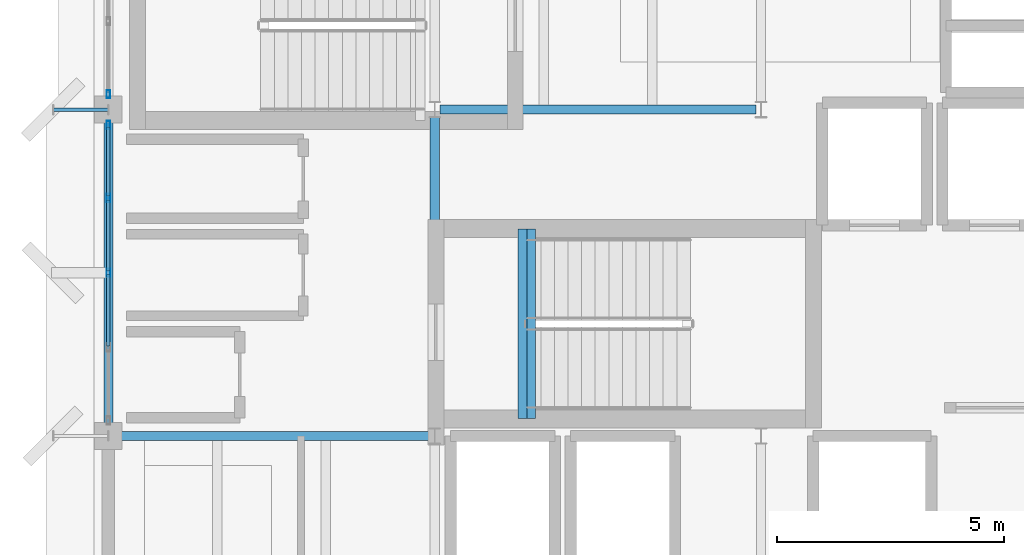
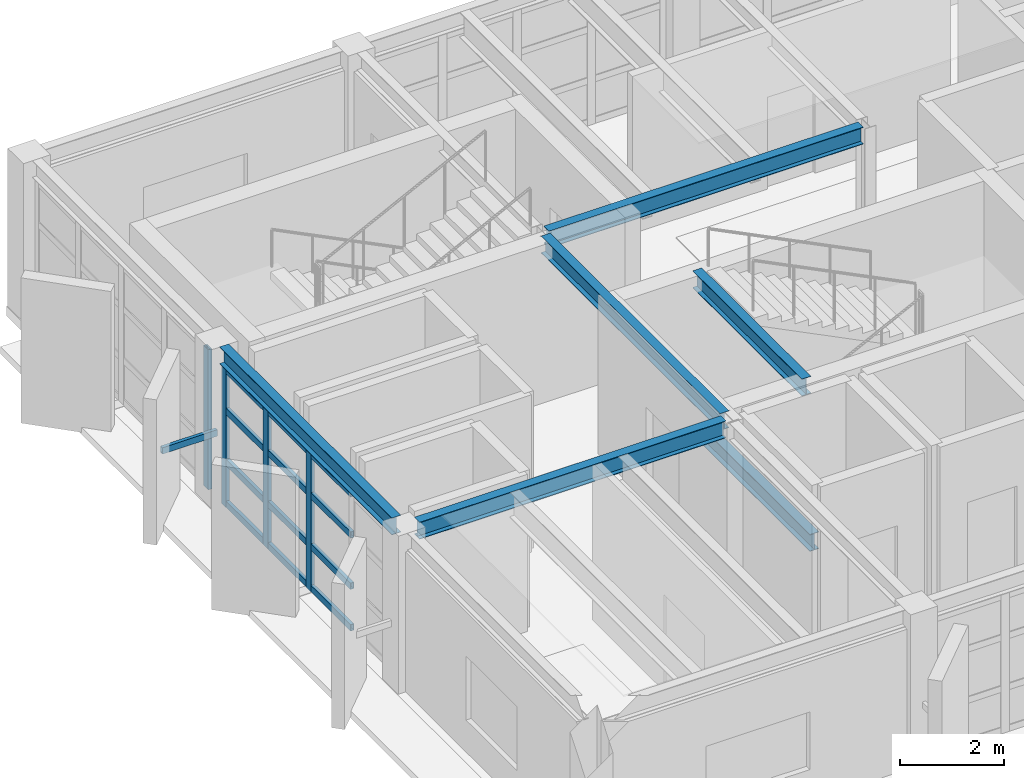
# One storey, part 4 of 15: 17 members, 6 beams, 2 elements without a shape of their own.
"""IFC4 building model written with IfcOpenShell, lengths in metres."""

from ifc_helpers import new_model, si_unit, direction, frame, origin, origin_2d, place, context, subcontext, project, spatial, hollow_rectangle, i_section, extrude, material, layer, layer_set, material_profile, profile_set, type_object, element, aggregate, save


model = new_model("IFC4")

# Units and contexts
model_context = context("Model", 3, precision=1e-05, world=origin(), true_north=direction((0.0, 1.0)))
body_context = subcontext(model_context, "Body", "Model", "MODEL_VIEW")
ifc_project = project(units=[si_unit("LENGTHUNIT", "METRE"), si_unit("AREAUNIT", "SQUARE_METRE"), si_unit("VOLUMEUNIT", "CUBIC_METRE"), si_unit("PLANEANGLEUNIT", "RADIAN"), si_unit("MASSUNIT", "GRAM", prefix="KILO")], contexts=[model_context])

# Site, building, storey
site_placement = place(None, origin())
site = spatial("IfcSite", under=ifc_project, at=site_placement, CompositionType="ELEMENT")
building_placement = place(site_placement, origin())
building = spatial("IfcBuilding", under=site, at=building_placement, Name="Kandorven Conservatory and Botanical Research Centre", CompositionType="ELEMENT")
storey_placement = place(building_placement, frame((0.0, 0.0, 52.199951171875)))
storey = spatial("IfcBuildingStorey", under=building, at=storey_placement, Name="L13", CompositionType="ELEMENT", Elevation=52.199951171875)

# Beams
ifc_material_1 = material(Name="Steel S355 (IS 2062 E350)", Category="steel")
ifc_material_profile_1 = material_profile(ifc_material_1, i_section(OverallWidth=0.199951171875, OverallDepth=0.39990234375, WebThickness=0.008544921875, FlangeThickness=0.012939453125, at=origin_2d()))
ifc_profile_set_1 = profile_set([ifc_material_profile_1], Name="Steel S355 (IS 2062 E350)")
beam_type = type_object("IfcBeamType", Name="Beam_FG-03", PredefinedType="USERDEFINED", material=ifc_profile_set_1)
beam_1_placement = place(storey_placement, frame((6.2900390625, 13.199951171875, 3.505126953125), z_axis=(1.0, 0.0, 0.0), x_axis=(0.0, 1.0, 0.0)))
element("IfcBeam", 1, at=beam_1_placement, inside=storey, type_object=beam_type, Name="Primary girder FG-03 TWR L13", ObjectType="GIRDER", PredefinedType="USERDEFINED", context=body_context, shape_type="SweptSolid", body=[
    extrude(i_section(OverallWidth=0.199951171875, OverallDepth=0.39990234375, WebThickness=0.008544921875, FlangeThickness=0.012939453125, at=origin_2d()), origin(), (0.0, 0.0, 1.0), 6.794921875),
])
beam_2_placement = place(storey_placement, frame((13.31494140625, 20.39990234375, 3.505126953125), z_axis=(1.0, 0.0, 0.0), x_axis=(0.0, 1.0, 0.0)))
element("IfcBeam", 2, at=beam_2_placement, inside=storey, type_object=beam_type, Name="Primary girder FG-03 TWR L13", ObjectType="GIRDER", PredefinedType="USERDEFINED", context=body_context, shape_type="SweptSolid", body=[
    extrude(i_section(OverallWidth=0.199951171875, OverallDepth=0.39990234375, WebThickness=0.008544921875, FlangeThickness=0.012939453125, at=origin_2d()), origin(), (0.0, 0.0, 1.0), 6.969970703125),
])
beam_3_placement = place(storey_placement, frame((6.0, 13.489990234375, 3.505126953125), z_axis=(0.0, 1.0, 0.0), x_axis=(-1.0, 0.0, 0.0)))
element("IfcBeam", 3, at=beam_3_placement, inside=storey, type_object=beam_type, Name="Primary girder FG-03 TWR L13", ObjectType="GIRDER", PredefinedType="USERDEFINED", context=body_context, shape_type="SweptSolid", body=[
    extrude(i_section(OverallWidth=0.199951171875, OverallDepth=0.39990234375, WebThickness=0.008544921875, FlangeThickness=0.012939453125, at=origin_2d()), origin(), (0.0, 0.0, 1.0), 6.6201171875),
])
beam_4_placement = place(storey_placement, frame((13.199951171875, 13.364990234375, 3.505126953125), z_axis=(0.0, 1.0, 0.0), x_axis=(-1.0, 0.0, 0.0)))
element("IfcBeam", 4, at=beam_4_placement, inside=storey, type_object=beam_type, Name="Primary girder FG-03 TWR L13", ObjectType="GIRDER", PredefinedType="USERDEFINED", context=body_context, shape_type="SweptSolid", body=[
    extrude(i_section(OverallWidth=0.199951171875, OverallDepth=0.39990234375, WebThickness=0.008544921875, FlangeThickness=0.012939453125, at=origin_2d()), origin(), (0.0, 0.0, 1.0), 6.8701171875),
])
for number, where, z_axis, x_axis, name in (
    (5, (15.320068359375, 13.580078125, -0.199951171875), (0.0, 1.0, 0.0), (-1.0, 0.0, 0.0), "Stair well bottom trimmer girder FG-03 ST-T1 L13"),
    (6, (15.139892578125, 13.580078125, 3.505126953125), (0.0, 1.0, 0.0), (-1.0, 0.0, 0.0), "Stair well top header girder FG-03 ST-T1 L13"),
):
    element("IfcBeam", number, at=place(storey_placement, frame(where, z_axis=z_axis, x_axis=x_axis)), inside=storey, type_object=beam_type, Name=name, ObjectType="GIRDER", PredefinedType="USERDEFINED", context=body_context, shape_type="SweptSolid", body=[
        extrude(i_section(OverallWidth=0.199951171875, OverallDepth=0.39990234375, WebThickness=0.008544921875, FlangeThickness=0.012939453125, at=origin_2d()), origin(), (0.0, 0.0, 1.0), 4.18994140625),
    ])

# Curtain wall, members
ifc_material_2 = material(Name="Bronze anodised thermally broken aluminium", Category="aluminium")
ifc_layer = layer(ifc_material_2, 0.179931640625)
ifc_layer_set = layer_set([ifc_layer], Name="Bronze anodised thermally broken aluminium")
curtain_wall_type = type_object("IfcCurtainWallType", Name="CW_Unitised", PredefinedType="USERDEFINED", material=ifc_layer_set)
curtain_wall_1_placement = place(storey_placement, origin())
curtain_wall_1 = element("IfcCurtainWall", 7, at=curtain_wall_1_placement, inside=storey, type_object=curtain_wall_type, Name="Tower laboratory curtain wall CW-TWR-W-L13-2", ObjectType="UNITISED GLAZING", PredefinedType="USERDEFINED")
ifc_material_3 = material(Name="Bronze anodised thermally broken aluminium", Category="aluminium")
ifc_material_profile_2 = material_profile(ifc_material_3, hollow_rectangle(XDim=0.080078125, YDim=0.179931640625, WallThickness=0.006103515625, at=origin_2d()))
ifc_profile_set_2 = profile_set([ifc_material_profile_2], Name="Bronze anodised thermally broken aluminium")
member_type_1 = type_object("IfcMemberType", Name="CW_Mullion", PredefinedType="MULLION", material=ifc_profile_set_2)
member_1_placement = place(storey_placement, frame((6.0, 16.800048828125, 0.0), z_axis=(0.0, 0.0, 1.0), x_axis=(-1.0, 0.0, 0.0)))
member_1 = element("IfcMember", 8, at=member_1_placement, type_object=member_type_1, Name="CW-01 mullion 3", PredefinedType="MULLION", context=body_context, shape_type="SweptSolid", body=[
    extrude(hollow_rectangle(XDim=0.080078125, YDim=0.179931640625, WallThickness=0.006103515625, at=origin_2d()), origin(), (0.0, 0.0, 1.0), 3.28515625),
])
member_2_placement = place(storey_placement, frame((6.0, 18.449951171875, 0.0), z_axis=(0.0, 0.0, 1.0), x_axis=(-1.0, 0.0, 0.0)))
member_2 = element("IfcMember", 9, at=member_2_placement, type_object=member_type_1, Name="CW-01 mullion 4", PredefinedType="MULLION", context=body_context, shape_type="SweptSolid", body=[
    extrude(hollow_rectangle(XDim=0.080078125, YDim=0.179931640625, WallThickness=0.006103515625, at=origin_2d()), origin(), (0.0, 0.0, 1.0), 3.28515625),
])
member_3_placement = place(storey_placement, frame((6.0, 20.06005859375, 0.0), z_axis=(0.0, 0.0, 1.0), x_axis=(-1.0, 0.0, 0.0)))
member_3 = element("IfcMember", 10, at=member_3_placement, type_object=member_type_1, Name="CW-01 mullion 5", PredefinedType="MULLION", context=body_context, shape_type="SweptSolid", body=[
    extrude(hollow_rectangle(XDim=0.080078125, YDim=0.179931640625, WallThickness=0.006103515625, at=origin_2d()), origin(), (0.0, 0.0, 1.0), 3.28515625),
])

# Curtain wall, member
curtain_wall_2_placement = place(storey_placement, origin())
curtain_wall_2 = element("IfcCurtainWall", 11, at=curtain_wall_2_placement, inside=storey, type_object=curtain_wall_type, Name="Tower laboratory curtain wall CW-TWR-W-L13-3", ObjectType="UNITISED GLAZING", PredefinedType="USERDEFINED")
member_4_placement = place(storey_placement, frame((6.0, 20.739990234375, 0.0), z_axis=(0.0, 0.0, 1.0), x_axis=(-1.0, 0.0, 0.0)))
member_4 = element("IfcMember", 12, at=member_4_placement, type_object=member_type_1, Name="CW-01 mullion 1", PredefinedType="MULLION", context=body_context, shape_type="SweptSolid", body=[
    extrude(hollow_rectangle(XDim=0.080078125, YDim=0.179931640625, WallThickness=0.006103515625, at=origin_2d()), origin(), (0.0, 0.0, 1.0), 3.28515625),
])
aggregate(curtain_wall_2, [member_4])

# Member
ifc_material_4 = material(Name="Bronze anodised thermally broken aluminium", Category="aluminium")
ifc_material_profile_3 = material_profile(ifc_material_4, hollow_rectangle(XDim=0.074951171875, YDim=0.14990234375, WallThickness=0.006103515625, at=origin_2d()))
ifc_profile_set_3 = profile_set([ifc_material_profile_3], Name="Bronze anodised thermally broken aluminium")
member_type_2 = type_object("IfcMemberType", Name="CW_Transom", PredefinedType="USERDEFINED", material=ifc_profile_set_3)
member_5_placement = place(storey_placement, frame((6.0, 15.18994140625, 0.074951171875), z_axis=(0.0, 1.0, 0.0), x_axis=(-1.0, 0.0, 0.0)))
member_5 = element("IfcMember", 13, at=member_5_placement, type_object=member_type_2, Name="CW-01 transom 2.1", ObjectType="TRANSOM", PredefinedType="USERDEFINED", context=body_context, shape_type="SweptSolid", body=[
    extrude(hollow_rectangle(XDim=0.074951171875, YDim=0.14990234375, WallThickness=0.006103515625, at=origin_2d()), origin(), (0.0, 0.0, 1.0), 1.570068359375),
])

member_6_placement = place(storey_placement, frame((6.0, 15.18994140625, 1.050048828125), z_axis=(0.0, 1.0, 0.0), x_axis=(-1.0, 0.0, 0.0)))
member_6 = element("IfcMember", 14, at=member_6_placement, type_object=member_type_2, Name="CW-01 transom 2.2", ObjectType="TRANSOM", PredefinedType="USERDEFINED", context=body_context, shape_type="SweptSolid", body=[
    extrude(hollow_rectangle(XDim=0.074951171875, YDim=0.14990234375, WallThickness=0.006103515625, at=origin_2d()), origin(), (0.0, 0.0, 1.0), 1.570068359375),
])

member_7_placement = place(storey_placement, frame((6.0, 15.18994140625, 2.25), z_axis=(0.0, 1.0, 0.0), x_axis=(-1.0, 0.0, 0.0)))
member_7 = element("IfcMember", 15, at=member_7_placement, type_object=member_type_2, Name="CW-01 transom 2.3", ObjectType="TRANSOM", PredefinedType="USERDEFINED", context=body_context, shape_type="SweptSolid", body=[
    extrude(hollow_rectangle(XDim=0.074951171875, YDim=0.14990234375, WallThickness=0.006103515625, at=origin_2d()), origin(), (0.0, 0.0, 1.0), 1.570068359375),
])

member_8_placement = place(storey_placement, frame((6.0, 15.18994140625, 3.2099609375), z_axis=(0.0, 1.0, 0.0), x_axis=(-1.0, 0.0, 0.0)))
member_8 = element("IfcMember", 16, at=member_8_placement, type_object=member_type_2, Name="CW-01 transom 2.4", ObjectType="TRANSOM", PredefinedType="USERDEFINED", context=body_context, shape_type="SweptSolid", body=[
    extrude(hollow_rectangle(XDim=0.074951171875, YDim=0.14990234375, WallThickness=0.006103515625, at=origin_2d()), origin(), (0.0, 0.0, 1.0), 1.570068359375),
])

member_9_placement = place(storey_placement, frame((6.0, 16.840087890625, 0.074951171875), z_axis=(0.0, 1.0, 0.0), x_axis=(-1.0, 0.0, 0.0)))
member_9 = element("IfcMember", 17, at=member_9_placement, type_object=member_type_2, Name="CW-01 transom 3.1", ObjectType="TRANSOM", PredefinedType="USERDEFINED", context=body_context, shape_type="SweptSolid", body=[
    extrude(hollow_rectangle(XDim=0.074951171875, YDim=0.14990234375, WallThickness=0.006103515625, at=origin_2d()), origin(), (0.0, 0.0, 1.0), 1.56982421875),
])

member_10_placement = place(storey_placement, frame((6.0, 16.840087890625, 1.050048828125), z_axis=(0.0, 1.0, 0.0), x_axis=(-1.0, 0.0, 0.0)))
member_10 = element("IfcMember", 18, at=member_10_placement, type_object=member_type_2, Name="CW-01 transom 3.2", ObjectType="TRANSOM", PredefinedType="USERDEFINED", context=body_context, shape_type="SweptSolid", body=[
    extrude(hollow_rectangle(XDim=0.074951171875, YDim=0.14990234375, WallThickness=0.006103515625, at=origin_2d()), origin(), (0.0, 0.0, 1.0), 1.56982421875),
])

member_11_placement = place(storey_placement, frame((6.0, 16.840087890625, 2.25), z_axis=(0.0, 1.0, 0.0), x_axis=(-1.0, 0.0, 0.0)))
member_11 = element("IfcMember", 19, at=member_11_placement, type_object=member_type_2, Name="CW-01 transom 3.3", ObjectType="TRANSOM", PredefinedType="USERDEFINED", context=body_context, shape_type="SweptSolid", body=[
    extrude(hollow_rectangle(XDim=0.074951171875, YDim=0.14990234375, WallThickness=0.006103515625, at=origin_2d()), origin(), (0.0, 0.0, 1.0), 1.56982421875),
])

member_12_placement = place(storey_placement, frame((6.0, 16.840087890625, 3.2099609375), z_axis=(0.0, 1.0, 0.0), x_axis=(-1.0, 0.0, 0.0)))
member_12 = element("IfcMember", 20, at=member_12_placement, type_object=member_type_2, Name="CW-01 transom 3.4", ObjectType="TRANSOM", PredefinedType="USERDEFINED", context=body_context, shape_type="SweptSolid", body=[
    extrude(hollow_rectangle(XDim=0.074951171875, YDim=0.14990234375, WallThickness=0.006103515625, at=origin_2d()), origin(), (0.0, 0.0, 1.0), 1.56982421875),
])

member_13_placement = place(storey_placement, frame((6.0, 18.489990234375, 0.074951171875), z_axis=(0.0, 1.0, 0.0), x_axis=(-1.0, 0.0, 0.0)))
member_13 = element("IfcMember", 21, at=member_13_placement, type_object=member_type_2, Name="CW-01 transom 4.1", ObjectType="TRANSOM", PredefinedType="USERDEFINED", context=body_context, shape_type="SweptSolid", body=[
    extrude(hollow_rectangle(XDim=0.074951171875, YDim=0.14990234375, WallThickness=0.006103515625, at=origin_2d()), origin(), (0.0, 0.0, 1.0), 1.530029296875),
])

member_14_placement = place(storey_placement, frame((6.0, 18.489990234375, 1.050048828125), z_axis=(0.0, 1.0, 0.0), x_axis=(-1.0, 0.0, 0.0)))
member_14 = element("IfcMember", 22, at=member_14_placement, type_object=member_type_2, Name="CW-01 transom 4.2", ObjectType="TRANSOM", PredefinedType="USERDEFINED", context=body_context, shape_type="SweptSolid", body=[
    extrude(hollow_rectangle(XDim=0.074951171875, YDim=0.14990234375, WallThickness=0.006103515625, at=origin_2d()), origin(), (0.0, 0.0, 1.0), 1.530029296875),
])

member_15_placement = place(storey_placement, frame((6.0, 18.489990234375, 2.25), z_axis=(0.0, 1.0, 0.0), x_axis=(-1.0, 0.0, 0.0)))
member_15 = element("IfcMember", 23, at=member_15_placement, type_object=member_type_2, Name="CW-01 transom 4.3", ObjectType="TRANSOM", PredefinedType="USERDEFINED", context=body_context, shape_type="SweptSolid", body=[
    extrude(hollow_rectangle(XDim=0.074951171875, YDim=0.14990234375, WallThickness=0.006103515625, at=origin_2d()), origin(), (0.0, 0.0, 1.0), 1.530029296875),
])

member_16_placement = place(storey_placement, frame((6.0, 18.489990234375, 3.2099609375), z_axis=(0.0, 1.0, 0.0), x_axis=(-1.0, 0.0, 0.0)))
member_16 = element("IfcMember", 24, at=member_16_placement, type_object=member_type_2, Name="CW-01 transom 4.4", ObjectType="TRANSOM", PredefinedType="USERDEFINED", context=body_context, shape_type="SweptSolid", body=[
    extrude(hollow_rectangle(XDim=0.074951171875, YDim=0.14990234375, WallThickness=0.006103515625, at=origin_2d()), origin(), (0.0, 0.0, 1.0), 1.530029296875),
])

aggregate(curtain_wall_1, [member_1, member_2, member_3, member_5, member_6, member_7, member_8, member_9, member_10, member_11, member_12, member_13, member_14, member_15, member_16])

ifc_material_5 = material(Name="Steel S355 (IS 2062 E350)", Category="steel")
ifc_material_profile_4 = material_profile(ifc_material_5, hollow_rectangle(XDim=0.074951171875, YDim=0.14990234375, WallThickness=0.006103515625, at=origin_2d()))
ifc_profile_set_4 = profile_set([ifc_material_profile_4], Name="Steel S355 (IS 2062 E350)")
member_type_3 = type_object("IfcMemberType", Name="Mem_SF-01", PredefinedType="STRUT", material=ifc_profile_set_4)
member_17_placement = place(storey_placement, frame((6.0, 20.39990234375, 1.5), z_axis=(-1.0, 0.0, 0.0), x_axis=(0.0, -1.0, 0.0)))
element("IfcMember", 25, at=member_17_placement, inside=storey, type_object=member_type_3, Name="Solar fin steel outrigger strut SF-01 #115", PredefinedType="STRUT", context=body_context, shape_type="SweptSolid", body=[
    extrude(hollow_rectangle(XDim=0.074951171875, YDim=0.14990234375, WallThickness=0.006103515625, at=origin_2d()), origin(), (0.0, 0.0, 1.0), 1.219970703125),
])

save(model, "model.ifc")
